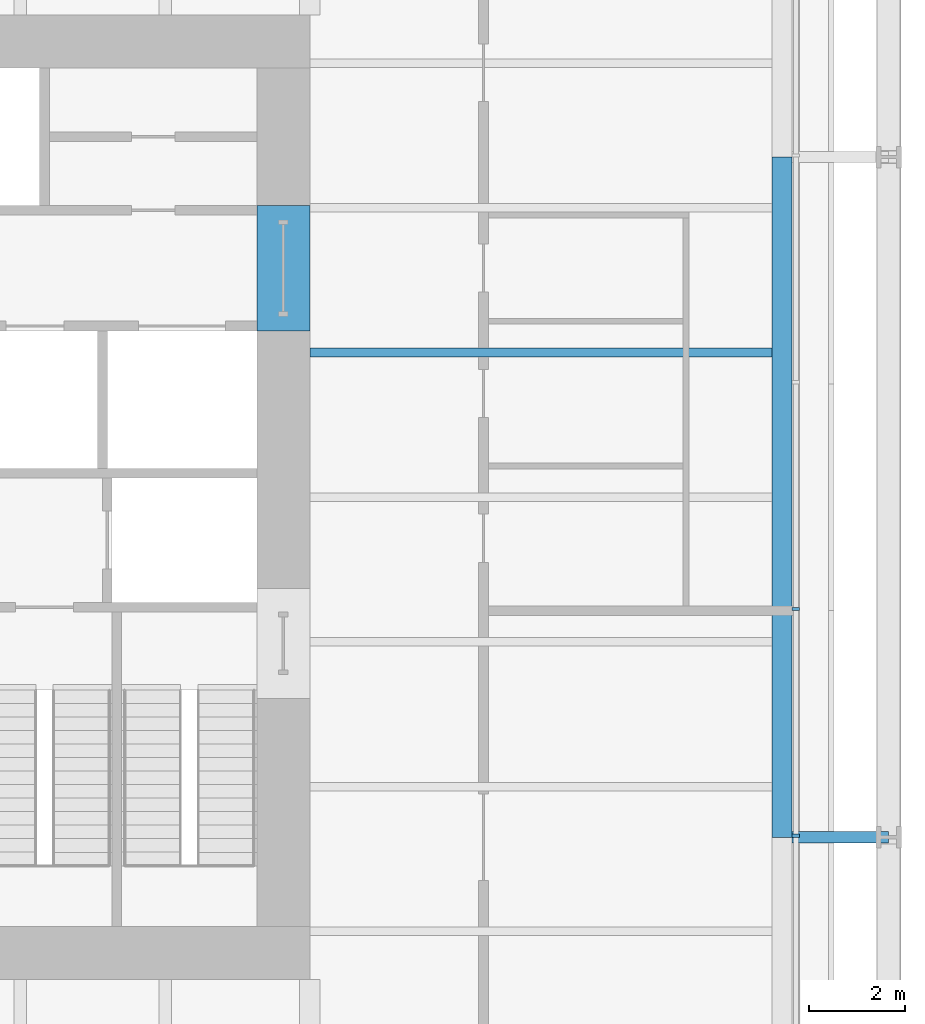
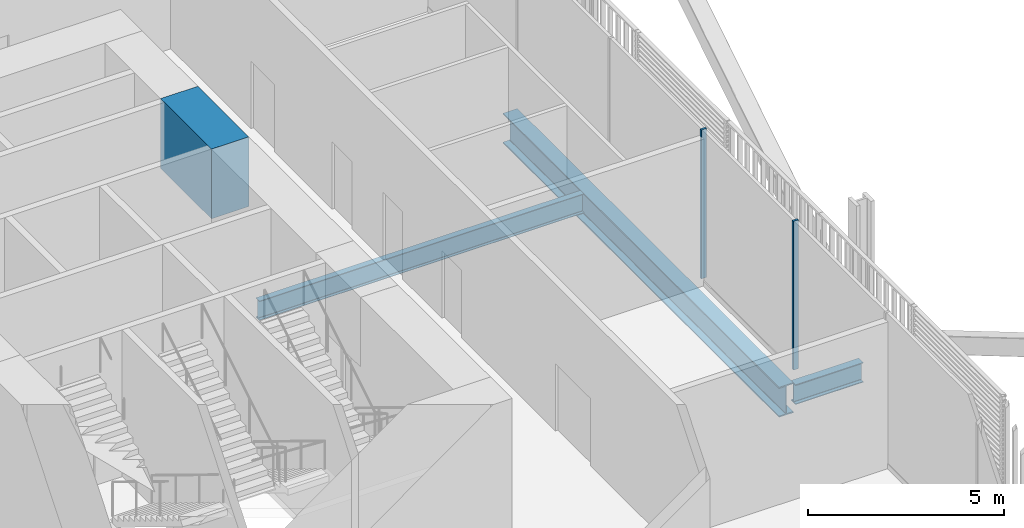
# One storey, part 9 of 22: 4 beams, 2 members, 1 element without a shape of its own.
"""IFC4 building model written with IfcOpenShell, lengths in metres."""

from ifc_helpers import new_model, si_unit, direction, frame, origin, origin_2d, place, context, subcontext, project, spatial, rectangle, i_section, extrude, material, layer, layer_set, material_profile, profile_set, type_object, element, aggregate, save


model = new_model("IFC4")

# Units and contexts
model_context = context("Model", 3, precision=1e-05, world=origin(), true_north=direction((0.0, 1.0)))
body_context = subcontext(model_context, "Body", "Model", "MODEL_VIEW")
ifc_project = project(units=[si_unit("LENGTHUNIT", "METRE"), si_unit("AREAUNIT", "SQUARE_METRE"), si_unit("VOLUMEUNIT", "CUBIC_METRE"), si_unit("PLANEANGLEUNIT", "RADIAN"), si_unit("MASSUNIT", "GRAM", prefix="KILO")], contexts=[model_context])

# Site, building, storey
site_placement = place(None, origin())
site = spatial("IfcSite", under=ifc_project, at=site_placement, CompositionType="ELEMENT")
building_placement = place(site_placement, origin())
building = spatial("IfcBuilding", under=site, at=building_placement, Name="Millrace Tower", CompositionType="ELEMENT")
storey_placement = place(building_placement, frame((0.0, 0.0, 35.300048828125)))
storey = spatial("IfcBuildingStorey", under=building, at=storey_placement, Name="L08", CompositionType="ELEMENT", Elevation=35.300048828125)

# Curtain wall, members
ifc_material_1 = material(Name="Aluminium and glass", Category="aluminium")
ifc_layer = layer(ifc_material_1, 0.14990234375)
ifc_layer_set = layer_set([ifc_layer], Name="Aluminium and glass")
curtain_wall_type = type_object("IfcCurtainWallType", Name="CW-2 data hall insulated curtain wall", PredefinedType="NOTDEFINED", material=ifc_layer_set)
curtain_wall_placement = place(storey_placement, origin())
curtain_wall = element("IfcCurtainWall", 1, at=curtain_wall_placement, inside=storey, type_object=curtain_wall_type, Name="Curtain wall A-F04 L08", PredefinedType="NOTDEFINED")
ifc_material_2 = material(Name="Aluminium", Category="aluminium")
ifc_material_profile_1 = material_profile(ifc_material_2, rectangle(XDim=0.06494140625, YDim=0.14990234375, at=origin_2d()))
ifc_profile_set_1 = profile_set([ifc_material_profile_1], Name="Aluminium")
member_type = type_object("IfcMemberType", Name="CW-2 data hall insulated curtain wall mullion", PredefinedType="MULLION", material=ifc_profile_set_1)
member_1_placement = place(storey_placement, frame((25.074951171875, -7.017578125, 0.159912109375), z_axis=(0.0, 0.0, 1.0), x_axis=(0.0, 1.0, 0.0)))
member_1 = element("IfcMember", 2, at=member_1_placement, type_object=member_type, Name="CW2 mullion A-F04.4", PredefinedType="MULLION", context=body_context, shape_type="SweptSolid", body=[
    extrude(rectangle(XDim=0.06494140625, YDim=0.14990234375, at=origin_2d()), origin(), (0.0, 0.0, 1.0), 4.64013671875),
])
member_2_placement = place(storey_placement, frame((25.074951171875, -2.3173828125, 0.159912109375), z_axis=(0.0, 0.0, 1.0), x_axis=(0.0, 1.0, 0.0)))
member_2 = element("IfcMember", 3, at=member_2_placement, type_object=member_type, Name="CW2 mullion A-F04.5", PredefinedType="MULLION", context=body_context, shape_type="SweptSolid", body=[
    extrude(rectangle(XDim=0.06494140625, YDim=0.14990234375, at=origin_2d()), origin(), (0.0, 0.0, 1.0), 4.64013671875),
])
aggregate(curtain_wall, [member_1, member_2])

# Beams
ifc_material_3 = material(Name="Concrete C80", Category="concrete")
ifc_material_profile_2 = material_profile(ifc_material_3, rectangle(XDim=1.10009765625, YDim=2.175048828125, at=origin_2d()))
ifc_profile_set_2 = profile_set([ifc_material_profile_2], Name="Concrete C80")
beam_type_1 = type_object("IfcBeamType", Name="Coupling beam 1100 x 2175 Concrete C80, 2000 opening", PredefinedType="BEAM", material=ifc_profile_set_2)
beam_1_placement = place(storey_placement, frame((14.449951171875, 6.050048828125, 3.487548828125), z_axis=(0.0, -1.0, 0.0), x_axis=(1.0, 0.0, 0.0)))
element("IfcBeam", 4, at=beam_1_placement, inside=storey, type_object=beam_type_1, Name="Coupling beam E L08", PredefinedType="BEAM", context=body_context, shape_type="SweptSolid", body=[
    extrude(rectangle(XDim=1.10009765625, YDim=2.175048828125, at=origin_2d()), origin(), (0.0, 0.0, 1.0), 2.60009765625),
])
ifc_material_4 = material(Name="Steel ASTM A992 Grade 50", Category="steel")
ifc_material_profile_3 = material_profile(ifc_material_4, i_section(OverallWidth=0.1787109375, OverallDepth=0.60205078125, WebThickness=0.010986328125, FlangeThickness=0.014892578125, FilletRadius=0.0126953125, at=origin_2d()))
ifc_profile_set_3 = profile_set([ifc_material_profile_3], Name="Steel ASTM A992 Grade 50")
beam_type_2 = type_object("IfcBeamType", Name="Floor beam W24x62", PredefinedType="JOIST", material=ifc_profile_set_3)
beam_2_placement = place(storey_placement, frame((15.0, 3.0, -0.526123046875), z_axis=(1.0, 0.0, 0.0), x_axis=(0.0, 1.0, 0.0)))
element("IfcBeam", 5, at=beam_2_placement, inside=storey, type_object=beam_type_2, Name="BM-A-L08-S1-S025", PredefinedType="JOIST", context=body_context, shape_type="SweptSolid", body=[
    extrude(i_section(OverallWidth=0.1787109375, OverallDepth=0.60205078125, WebThickness=0.010986328125, FlangeThickness=0.014892578125, FilletRadius=0.0126953125, at=origin_2d()), origin(), (0.0, 0.0, 1.0), 9.578369140625),
])
ifc_material_5 = material(Name="Steel ASTM A992 Grade 50", Category="steel")
ifc_material_profile_4 = material_profile(ifc_material_5, i_section(OverallWidth=0.23046875, OverallDepth=0.6171875, WebThickness=0.01318359375, FlangeThickness=0.022216796875, FilletRadius=0.012939453125, at=origin_2d()))
ifc_profile_set_4 = profile_set([ifc_material_profile_4], Name="Steel ASTM A992 Grade 50")
beam_type_3 = type_object("IfcBeamType", Name="Link beam W24x94", PredefinedType="BEAM", material=ifc_profile_set_4)
beam_3_placement = place(storey_placement, frame((25.0, -7.050048828125, -0.53369140625), z_axis=(1.0, 0.0, 0.0), x_axis=(0.0, 1.0, 0.0)))
element("IfcBeam", 6, at=beam_3_placement, inside=storey, type_object=beam_type_3, Name="LNK-A-L08-S1-11", PredefinedType="BEAM", context=body_context, shape_type="SweptSolid", body=[
    extrude(i_section(OverallWidth=0.23046875, OverallDepth=0.6171875, WebThickness=0.01318359375, FlangeThickness=0.022216796875, FilletRadius=0.012939453125, at=origin_2d()), origin(), (0.0, 0.0, 1.0), 2.0),
])
ifc_material_6 = material(Name="Steel ASTM A992 Grade 50", Category="steel")
ifc_material_profile_5 = material_profile(ifc_material_6, i_section(OverallWidth=0.421630859375, OverallDepth=0.937255859375, WebThickness=0.021240234375, FlangeThickness=0.03662109375, FilletRadius=0.024169921875, at=origin_2d()))
ifc_profile_set_5 = profile_set([ifc_material_profile_5], Name="Steel ASTM A992 Grade 50")
beam_type_4 = type_object("IfcBeamType", Name="Ring beam medium span W36x262", PredefinedType="SPANDREL", material=ifc_profile_set_5)
beam_4_placement = place(storey_placement, frame((24.7890625, 7.050048828125, -0.693603515625), z_axis=(0.0, -1.0, 0.0), x_axis=(1.0, 0.0, 0.0)))
element("IfcBeam", 7, at=beam_4_placement, inside=storey, type_object=beam_type_4, Name="RNG-A-L08-S1-10", PredefinedType="SPANDREL", context=body_context, shape_type="SweptSolid", body=[
    extrude(i_section(OverallWidth=0.421630859375, OverallDepth=0.937255859375, WebThickness=0.021240234375, FlangeThickness=0.03662109375, FilletRadius=0.024169921875, at=origin_2d()), origin(), (0.0, 0.0, 1.0), 14.10009765625),
])

save(model, "model.ifc")
